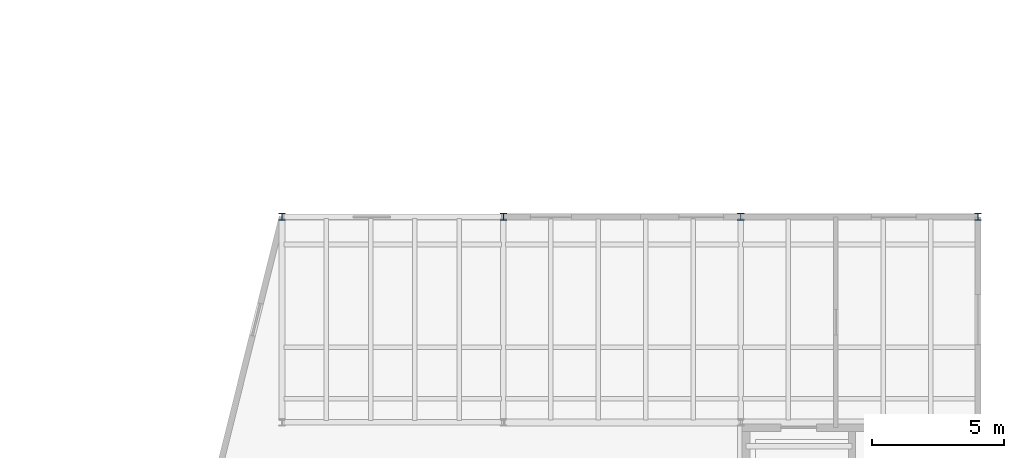
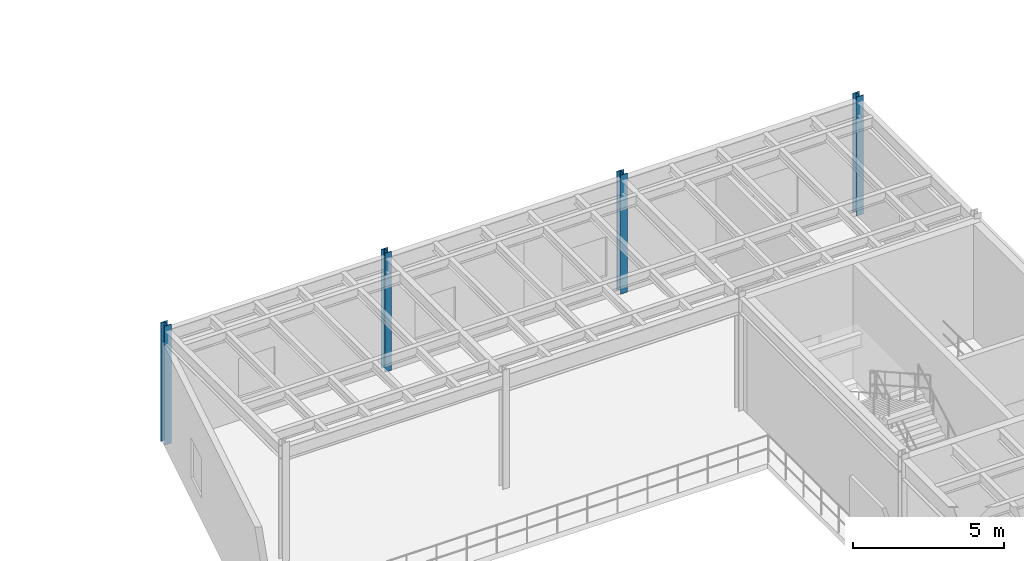
# One storey, part 15 of 105: 4 columns.
"""IFC4 building model written with IfcOpenShell, lengths in metres."""

import ifcopenshell
import ifcopenshell.guid

model = None  # the IFC model being written
_history = None  # IfcOwnerHistory: only IFC2X3 demands one
_inside = {}  # id of a spatial element -> (the spatial element, [elements in it])
_under = {}  # id of a project, library or spatial element -> (it, [spatial elements below it])
_declared = {}  # id of a project -> (the project, [libraries it declares])
_typed = {}  # id of a type object -> (the type object, [elements of that type])
_made_of = {}  # id of a material, layer set ... -> (it, [elements and type objects made of it])


def new_model(schema):
    """Start an empty IFC model of exactly this schema.

    Asked for "IFC4X3", IfcOpenShell would pick the latest addendum, in which some entities
    have other attributes; the version numbers below select the first issue.
    IFC2X3 requires an IfcOwnerHistory on every rooted entity: one is made here for all.
    """
    global model, _history
    if schema == "IFC4X3":
        model = ifcopenshell.file(schema_version=(4, 3, 0, 0))
    else:
        model = ifcopenshell.file(schema=schema)
    _inside.clear()
    _under.clear()
    _declared.clear()
    _typed.clear()
    _made_of.clear()
    _history = None
    if model.schema == "IFC2X3":
        org = make("IfcOrganization", Name="unknown")
        user = make(
            "IfcPersonAndOrganization",
            ThePerson=make("IfcPerson", FamilyName="unknown"),
            TheOrganization=org,
        )
        app = make(
            "IfcApplication",
            ApplicationDeveloper=org,
            Version="unknown",
            ApplicationFullName="unknown",
            ApplicationIdentifier="unknown",
        )
        _history = make(
            "IfcOwnerHistory",
            OwningUser=user,
            OwningApplication=app,
            ChangeAction="ADDED",
            CreationDate=0,
        )
    return model


def make(cls, **values):
    """One entity of the class cls with the attributes given. An attribute that is None is left unset."""
    return model.create_entity(
        cls, **{name: value for name, value in values.items() if value is not None}
    )


def rooted(cls, **values):
    """An entity with a GlobalId (a new one), such as an element, a storey or a relation."""
    return make(cls, GlobalId=ifcopenshell.guid.new(), OwnerHistory=_history, **values)


def si_unit(unit_type, name, prefix=None):
    """IfcSIUnit, for example si_unit("LENGTHUNIT", "METRE", prefix="MILLI")."""
    return make("IfcSIUnit", UnitType=unit_type, Prefix=prefix, Name=name)


def assignment(units):
    """IfcUnitAssignment: the units of a project."""
    return None if units is None else make("IfcUnitAssignment", Units=units)


def point(xyz):
    """IfcCartesianPoint."""
    return None if xyz is None else make("IfcCartesianPoint", Coordinates=xyz)


def direction(xyz):
    """IfcDirection."""
    return None if xyz is None else make("IfcDirection", DirectionRatios=xyz)


def frame(location, z_axis=None, x_axis=None):
    """IfcAxis2Placement3D, a coordinate frame: its origin and axes. An axis left out is left unset."""
    return make(
        "IfcAxis2Placement3D",
        Location=point(location),
        Axis=direction(z_axis),
        RefDirection=direction(x_axis),
    )


def frame_2d(location, x_axis=None):
    """IfcAxis2Placement2D, a coordinate frame in the plane: its origin and x axis."""
    return make(
        "IfcAxis2Placement2D", Location=point(location), RefDirection=direction(x_axis)
    )


def origin():
    """The frame at (0, 0, 0) with its axes left unset."""
    return frame((0.0, 0.0, 0.0))


def origin_2d():
    """The frame at (0, 0) in the plane with its x axis left unset."""
    return frame_2d((0.0, 0.0))


def place(relative_to, where):
    """IfcLocalPlacement: puts the frame where relative to a parent placement (None: the world)."""
    return make(
        "IfcLocalPlacement", PlacementRelTo=relative_to, RelativePlacement=where
    )


def context(
    kind, dimensions, precision=None, world=None, true_north=None, identifier=None
):
    """IfcGeometricRepresentationContext, for example the 3D "Model" context."""
    return make(
        "IfcGeometricRepresentationContext",
        ContextIdentifier=identifier,
        ContextType=kind,
        CoordinateSpaceDimension=dimensions,
        Precision=precision,
        WorldCoordinateSystem=world,
        TrueNorth=true_north,
    )


def subcontext(parent, identifier, kind, view, scale=None):
    """IfcGeometricRepresentationSubContext, for example "Body" below "Model"."""
    return make(
        "IfcGeometricRepresentationSubContext",
        ContextIdentifier=identifier,
        ContextType=kind,
        ParentContext=parent,
        TargetScale=scale,
        TargetView=view,
    )


def project(units=None, contexts=None):
    """IfcProject with its units and contexts."""
    return rooted(
        "IfcProject",
        Name="project",
        RepresentationContexts=contexts,
        UnitsInContext=assignment(units),
    )


def spatial(cls, under=None, at=None, **own):
    """A site, building, storey or space (cls), placed at a placement, below another one or the project."""
    s = rooted(cls, ObjectPlacement=at, **own)
    if under is not None:
        _under.setdefault(under.id(), (under, []))[1].append(s)
    return s


def profile(cls, at=None, kind="AREA", **sizes):
    """A parametric profile (cls). Its sizes go by their IFC names, for example OverallWidth=200.0."""
    return make(cls, ProfileType=kind, Position=at, **sizes)


def i_section(**sizes):
    """IfcIShapeProfileDef."""
    return profile("IfcIShapeProfileDef", **sizes)


def extrude(swept, where, along, depth):
    """IfcExtrudedAreaSolid: the profile swept, set in the frame where, extruded along a direction by depth."""
    return make(
        "IfcExtrudedAreaSolid",
        SweptArea=swept,
        Position=where,
        ExtrudedDirection=direction(along),
        Depth=depth,
    )


def shape(context_of_items, identifier, shape_type, items):
    """IfcShapeRepresentation: the items that make up one representation, for example the "Body"."""
    return make(
        "IfcShapeRepresentation",
        ContextOfItems=context_of_items,
        RepresentationIdentifier=identifier,
        RepresentationType=shape_type,
        Items=items,
    )


def material(Name=None, Category=None):
    """IfcMaterial."""
    return make("IfcMaterial", Name=Name, Category=Category)


def material_profile(
    of_material, cross_section, Name=None, Category=None, Priority=None
):
    """IfcMaterialProfile: a cross section and its material."""
    return make(
        "IfcMaterialProfile",
        Name=Name,
        Material=of_material,
        Profile=cross_section,
        Priority=Priority,
        Category=Category,
    )


def profile_set(profiles, Name=None, composite=None):
    """IfcMaterialProfileSet."""
    return make(
        "IfcMaterialProfileSet",
        Name=Name,
        MaterialProfiles=profiles,
        CompositeProfile=composite,
    )


def made_of(thing, what):
    """Note that an element or type object is made of a material, layer set ...; save() writes the relation."""
    if what is not None:
        _made_of.setdefault(what.id(), (what, []))[1].append(thing)
    return thing


def type_object(cls, material=None, **own):
    """A type object (cls), such as IfcWallType, which elements share."""
    return made_of(rooted(cls, **own), material)


def element(
    cls,
    number,
    at=None,
    inside=None,
    cuts=None,
    type_object=None,
    material=None,
    context=None,
    identifier="Body",
    shape_type=None,
    held_by="IfcProductDefinitionShape",
    body=None,
    shapes=None,
    **own,
):
    """One element of the class cls, such as IfcWall. Its Tag is "e" and its number.

    at: its placement. inside: the storey or other place that contains it. cuts: it is an
    opening in that element (IfcRelVoidsElement). A single representation is given by context,
    identifier, shape_type and body (its items); several are given by shapes. held_by: the class
    of the entity that holds the representations. save() writes the other relations.
    """
    e = rooted(cls, Tag="e%d" % number, ObjectPlacement=at, **own)
    if body is not None:
        shapes = [shape(context, identifier, shape_type, body)]
    if shapes is not None:
        e.Representation = make(held_by, Representations=shapes)
    if inside is not None:
        _inside.setdefault(inside.id(), (inside, []))[1].append(e)
    if cuts is not None:
        rooted(
            "IfcRelVoidsElement", RelatingBuildingElement=cuts, RelatedOpeningElement=e
        )
    if type_object is not None:
        _typed.setdefault(type_object.id(), (type_object, []))[1].append(e)
    return made_of(e, material)


def aggregate(whole, parts):
    """IfcRelAggregates: a whole, such as a stair, and the parts it consists of."""
    return rooted("IfcRelAggregates", RelatingObject=whole, RelatedObjects=parts)


def save(model, path):
    """Write the relations noted so far, then the file.

    IfcRelAggregates (storeys below a building ...), IfcRelContainedInSpatialStructure (elements
    in a storey), IfcRelDefinesByType, IfcRelAssociatesMaterial and IfcRelDeclares: one each for
    every whole, place, type object, material and project.
    """
    for whole, parts in _under.values():
        aggregate(whole, parts)
    for where, things in _inside.values():
        rooted(
            "IfcRelContainedInSpatialStructure",
            RelatedElements=things,
            RelatingStructure=where,
        )
    for kind, things in _typed.values():
        rooted("IfcRelDefinesByType", RelatedObjects=things, RelatingType=kind)
    for what, things in _made_of.values():
        rooted("IfcRelAssociatesMaterial", RelatedObjects=things, RelatingMaterial=what)
    for by, libraries in _declared.values():
        rooted("IfcRelDeclares", RelatingContext=by, RelatedDefinitions=libraries)
    model.write(path)


model = new_model("IFC4")

# Units and contexts
model_context = context("Model", 3, precision=1e-05, world=origin(), true_north=direction((0.0, 1.0)))
body_context = subcontext(model_context, "Body", "Model", "MODEL_VIEW")
ifc_project = project(units=[si_unit("LENGTHUNIT", "METRE"), si_unit("AREAUNIT", "SQUARE_METRE"), si_unit("VOLUMEUNIT", "CUBIC_METRE"), si_unit("PLANEANGLEUNIT", "RADIAN"), si_unit("MASSUNIT", "GRAM", prefix="KILO")], contexts=[model_context])

# Site, building, storey
site_placement = place(None, origin())
site = spatial("IfcSite", under=ifc_project, at=site_placement, CompositionType="ELEMENT")
building_placement = place(site_placement, origin())
building = spatial("IfcBuilding", under=site, at=building_placement, Name="Selat Folded Stagehouse", CompositionType="ELEMENT")
storey_placement = place(building_placement, frame((0.0, 0.0, 10.199951171875)))
storey = spatial("IfcBuildingStorey", under=building, at=storey_placement, Name="L02", CompositionType="ELEMENT", Elevation=10.199951171875)

# Columns
ifc_material = material(Name="Steel S355", Category="steel")
ifc_material_profile = material_profile(ifc_material, i_section(OverallWidth=0.2587890625, OverallDepth=0.2666015625, WebThickness=0.0126953125, FlangeThickness=0.0205078125, FilletRadius=0.0126953125, at=origin_2d()), Name="UKC 254x254x107")
ifc_profile_set = profile_set([ifc_material_profile], Name="Steel S355")
column_type = type_object("IfcColumnType", Name="COL-UKC-254x254x107", PredefinedType="COLUMN", material=ifc_profile_set)
for number, where, z_axis, x_axis, name in (
    (1, (134.39990234375, 34.199951171875, 0.0), (0.0, 0.0, 1.0), (1.0, 0.0, 0.0), "L02 column STK-V3-04"),
    (2, (142.800048828125, 34.199951171875, 0.0), (0.0, 0.0, 1.0), (1.0, 0.0, 0.0), "L02 column STK-V3-07"),
    (3, (151.800048828125, 34.199951171875, 0.0), (0.0, 0.0, 1.0), (1.0, 0.0, 0.0), "L02 column STK-V3-11"),
    (4, (160.800048828125, 34.199951171875, 0.0), (0.0, 0.0, 1.0), (1.0, 0.0, 0.0), "L02 column STK-V3-16"),
):
    element("IfcColumn", number, at=place(storey_placement, frame(where, z_axis=z_axis, x_axis=x_axis)), inside=storey, type_object=column_type, Name=name, PredefinedType="COLUMN", context=body_context, shape_type="SweptSolid", body=[
        extrude(i_section(OverallWidth=0.2587890625, OverallDepth=0.2666015625, WebThickness=0.0126953125, FlangeThickness=0.0205078125, FilletRadius=0.0126953125, at=origin_2d()), origin(), (0.0, 0.0, 1.0), 4.800048828125),
    ])

save(model, "model.ifc")
